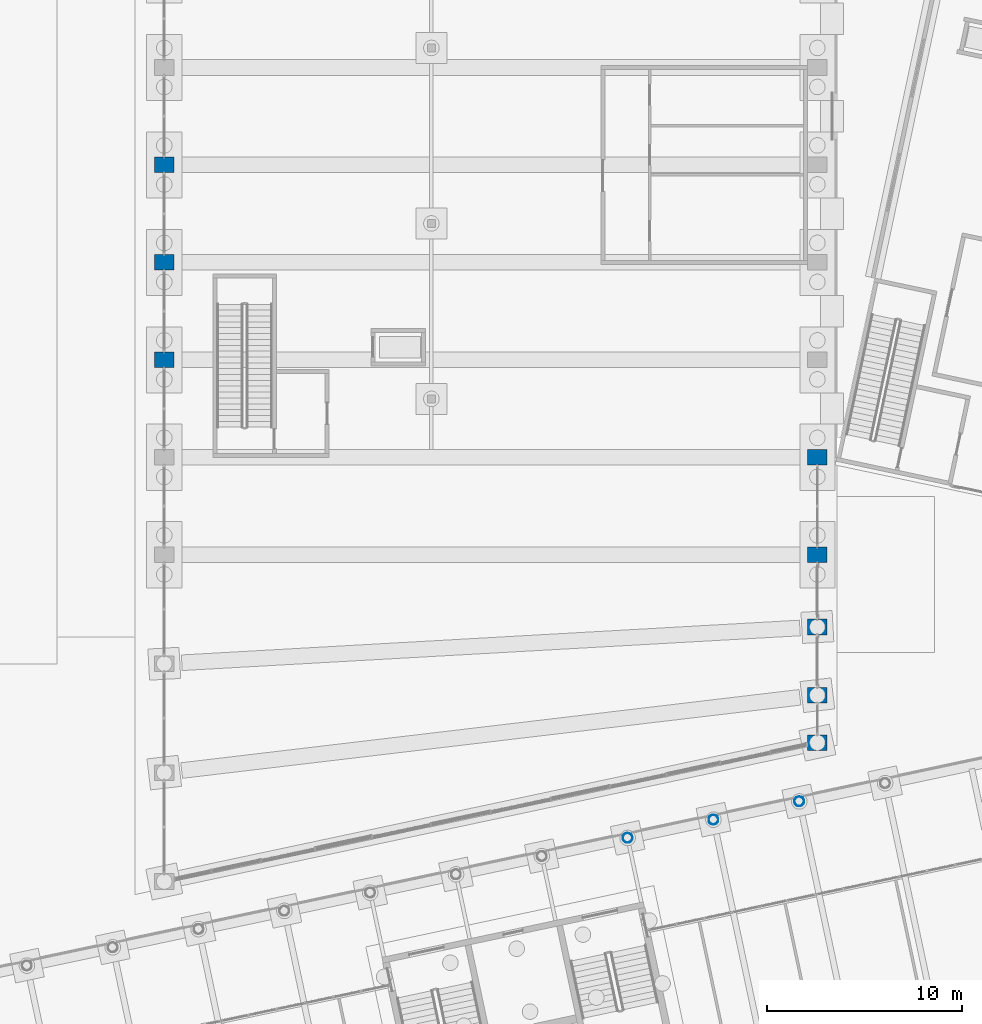
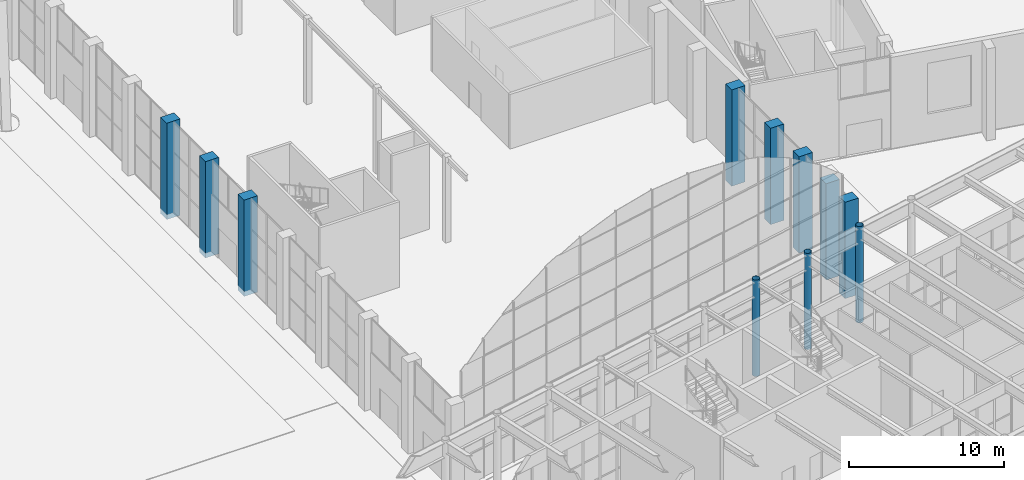
# One storey, part 24 of 239: 11 columns.
"""IFC4 building model written with IfcOpenShell, lengths in metres."""

from ifc_helpers import new_model, si_unit, direction, frame, origin, origin_2d, place, context, subcontext, project, spatial, rectangle, hollow_circle, extrude, material, material_profile, profile_set, type_object, element, save


model = new_model("IFC4")

# Units and contexts
model_context = context("Model", 3, precision=1e-05, world=origin(), true_north=direction((0.0, 1.0)))
body_context = subcontext(model_context, "Body", "Model", "MODEL_VIEW")
ifc_project = project(units=[si_unit("LENGTHUNIT", "METRE"), si_unit("AREAUNIT", "SQUARE_METRE"), si_unit("VOLUMEUNIT", "CUBIC_METRE"), si_unit("PLANEANGLEUNIT", "RADIAN"), si_unit("MASSUNIT", "GRAM", prefix="KILO")], contexts=[model_context])

# Site, building, storey
site_placement = place(None, origin())
site = spatial("IfcSite", under=ifc_project, at=site_placement, CompositionType="ELEMENT")
building_placement = place(site_placement, origin())
building = spatial("IfcBuilding", under=site, at=building_placement, Name="Okhra Congress Centre", CompositionType="ELEMENT")
storey_placement = place(building_placement, origin())
storey = spatial("IfcBuildingStorey", under=building, at=storey_placement, Name="L00", CompositionType="ELEMENT", Elevation=0.0)

# Columns
ifc_material_1 = material(Name="Concrete C40/50", Category="concrete")
ifc_material_profile_1 = material_profile(ifc_material_1, rectangle(XDim=1.0, YDim=0.800048828125, at=origin_2d()), Name="RC 1000x800")
ifc_profile_set_1 = profile_set([ifc_material_profile_1], Name="Concrete C40/50")
column_type_1 = type_object("IfcColumnType", Name="RC pier 1000x800 C40/50", PredefinedType="COLUMN", material=ifc_profile_set_1)
for number, where, z_axis, x_axis, name in (
    (1, (189.0, 81.369140625, -0.39990234375), (0.0, 0.0, 1.0), (1.0, 0.0, 0.0), "WG.COL.L00.pier-E00"),
    (2, (189.0, 83.800048828125, -0.39990234375), (0.0, 0.0, 1.0), (1.0, 0.0, 0.0), "WG.COL.L00.pier-E01"),
    (3, (189.0, 87.300048828125, -0.39990234375), (0.0, 0.0, 1.0), (1.0, 0.0, 0.0), "WG.COL.L00.pier-E02"),
    (4, (189.0, 91.0, -0.39990234375), (0.0, 0.0, 1.0), (1.0, 0.0, 0.0), "WG.COL.L00.pier-E03"),
    (5, (189.0, 96.0, -0.39990234375), (0.0, 0.0, 1.0), (1.0, 0.0, 0.0), "WG.COL.L00.pier-E04"),
    (6, (155.5, 101.0, -0.39990234375), (0.0, 0.0, 1.0), (1.0, 0.0, 0.0), "WG.COL.L00.pier-W05"),
    (7, (155.5, 106.0, -0.39990234375), (0.0, 0.0, 1.0), (1.0, 0.0, 0.0), "WG.COL.L00.pier-W06"),
    (8, (155.5, 111.0, -0.39990234375), (0.0, 0.0, 1.0), (1.0, 0.0, 0.0), "WG.COL.L00.pier-W07"),
):
    element("IfcColumn", number, at=place(storey_placement, frame(where, z_axis=z_axis, x_axis=x_axis)), inside=storey, type_object=column_type_1, Name=name, PredefinedType="COLUMN", context=body_context, shape_type="SweptSolid", body=[
        extrude(rectangle(XDim=1.0, YDim=0.800048828125, at=origin_2d()), origin(), (0.0, 0.0, 1.0), 7.599853515625),
    ])
ifc_material_2 = material(Name="Steel S355J2H", Category="steel")
ifc_material_profile_2 = material_profile(ifc_material_2, hollow_circle(Radius=0.25390625, WallThickness=0.01611328125, at=origin_2d()), Name="CHS 508x16")
ifc_profile_set_2 = profile_set([ifc_material_profile_2], Name="Steel S355J2H")
column_type_2 = type_object("IfcColumnType", Name="Round steel column CHS 508x16", PredefinedType="COLUMN", material=ifc_profile_set_2)
for number, where, z_axis, x_axis, name in (
    (9, (179.267822265625, 76.481689453125, -0.39990234375), (0.0, 0.0, 1.0), (0.978147600734, 0.207911690818, 0.0), "Round column 25N"),
    (10, (183.66943359375, 77.417236328125, -0.39990234375), (0.0, 0.0, 1.0), (0.978147600734, 0.207911690818, 0.0), "Round column 26N"),
    (11, (188.071044921875, 78.352783203125, -0.39990234375), (0.0, 0.0, 1.0), (0.978147600734, 0.207911690818, 0.0), "Round column 27N"),
):
    element("IfcColumn", number, at=place(storey_placement, frame(where, z_axis=z_axis, x_axis=x_axis)), inside=storey, type_object=column_type_2, Name=name, PredefinedType="COLUMN", context=body_context, shape_type="SweptSolid", body=[
        extrude(hollow_circle(Radius=0.25390625, WallThickness=0.01611328125, at=origin_2d()), origin(), (0.0, 0.0, 1.0), 7.599853515625),
    ])

save(model, "model.ifc")
